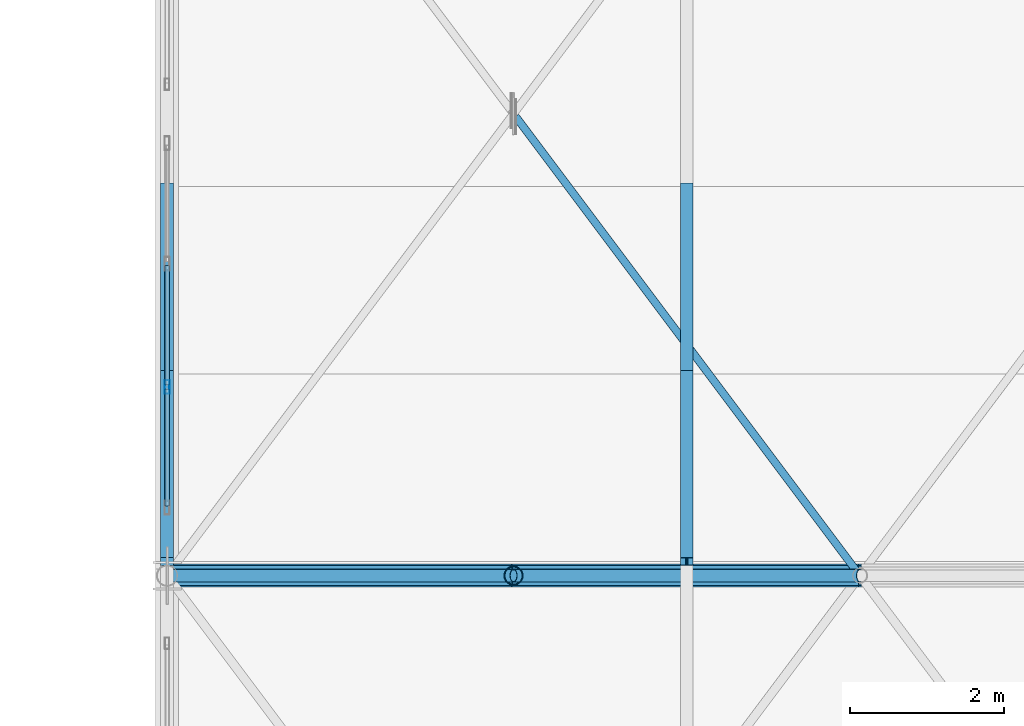
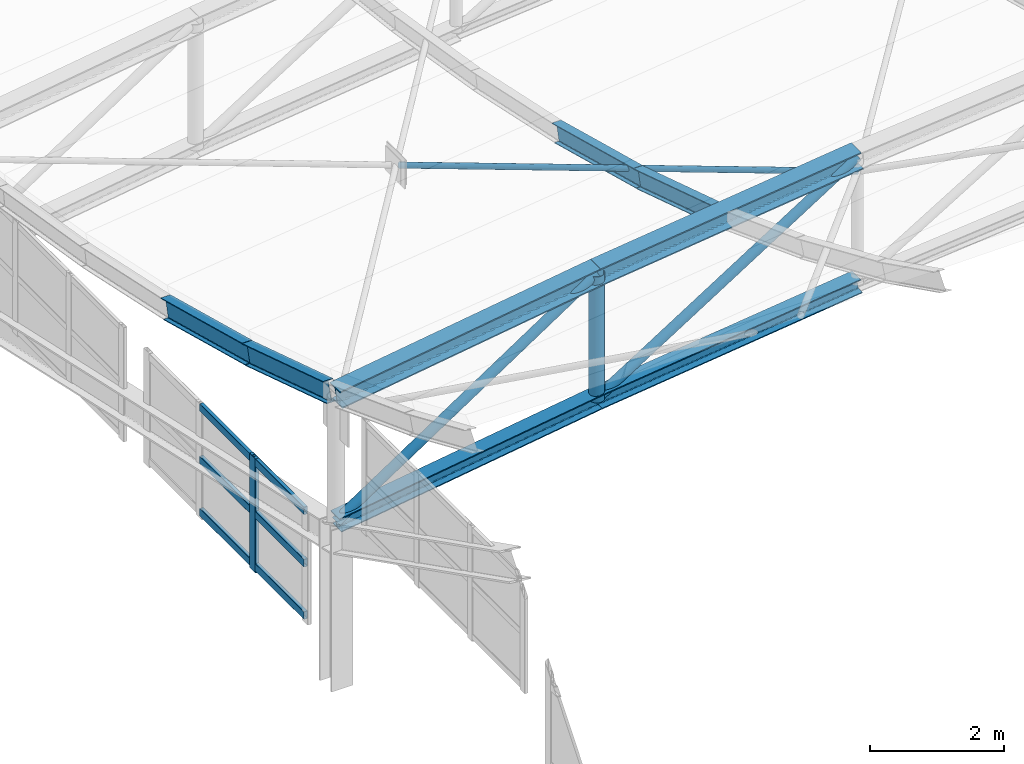
# One storey, part 45 of 262: 19 members, 1 element without a shape of its own.
"""IFC4 building model written with IfcOpenShell, lengths in metres."""

from ifc_helpers import new_model, si_unit, derived_unit, direction, frame, origin, origin_2d, place, context, subcontext, project, spatial, hollow_rectangle, hollow_circle, i_section, extrude, material, layer, layer_set, material_profile, profile_set, type_object, element, aggregate, save


model = new_model("IFC4")

# Units and contexts
model_context = context("Model", 3, precision=1e-05, world=origin(), true_north=direction((0.0, 1.0)))
body_context = subcontext(model_context, "Body", "Model", "MODEL_VIEW")
ifc_project = project(units=[si_unit("LENGTHUNIT", "METRE"), si_unit("AREAUNIT", "SQUARE_METRE"), si_unit("VOLUMEUNIT", "CUBIC_METRE"), si_unit("PLANEANGLEUNIT", "RADIAN"), si_unit("MASSUNIT", "GRAM", prefix="KILO"), derived_unit("THERMALTRANSMITTANCEUNIT", [(si_unit("POWERUNIT", "WATT"), 1), (si_unit("LENGTHUNIT", "METRE"), -2), (si_unit("THERMODYNAMICTEMPERATUREUNIT", "KELVIN"), -1)])], contexts=[model_context])

# Site, building, storey
site_placement = place(None, origin())
site = spatial("IfcSite", under=ifc_project, at=site_placement, CompositionType="ELEMENT")
building_placement = place(site_placement, origin())
building = spatial("IfcBuilding", under=site, at=building_placement, Name="Almenara Railside Exhibition Hall", CompositionType="ELEMENT")
storey_placement = place(building_placement, frame((0.0, 0.0, 21.699951171875)))
storey = spatial("IfcBuildingStorey", under=building, at=storey_placement, Name="RF", CompositionType="ELEMENT", Elevation=21.699951171875)

# Members
ifc_material_1 = material(Name="Structural steel S355JR", Category="steel")
ifc_material_profile_1 = material_profile(ifc_material_1, i_section(OverallWidth=0.260009765625, OverallDepth=0.260009765625, WebThickness=0.010009765625, FlangeThickness=0.017578125, FilletRadius=0.02392578125, at=origin_2d()), Name="HEB 260")
ifc_profile_set_1 = profile_set([ifc_material_profile_1], Name="Structural steel S355JR")
member_type_1 = type_object("IfcMemberType", Name="Arched Truss Bottom Chord HEB 260 S355JR", PredefinedType="CHORD", material=ifc_profile_set_1)
member_1_placement = place(storey_placement, frame((12.0, 60.0, 0.541259765625), z_axis=(0.9890290442, 0.0, 0.147721189165), x_axis=(0.0, 1.0, 0.0)))
element("IfcMember", 1, at=member_1_placement, inside=storey, type_object=member_type_1, Name="MEM-BC-V1-01-00", PredefinedType="CHORD", context=body_context, shape_type="SweptSolid", body=[
    extrude(i_section(OverallWidth=0.260009765625, OverallDepth=0.260009765625, WebThickness=0.010009765625, FlangeThickness=0.017578125, FilletRadius=0.02392578125, at=origin_2d()), origin(), (0.0, 0.0, 1.0), 4.5498046875),
])
member_2_placement = place(storey_placement, frame((16.5, 60.0, 1.21337890625), z_axis=(0.992612220818, 0.0, 0.121330041965), x_axis=(0.0, 1.0, 0.0)))
element("IfcMember", 2, at=member_2_placement, inside=storey, type_object=member_type_1, Name="MEM-BC-V1-01-01", PredefinedType="CHORD", context=body_context, shape_type="SweptSolid", body=[
    extrude(i_section(OverallWidth=0.260009765625, OverallDepth=0.260009765625, WebThickness=0.010009765625, FlangeThickness=0.017578125, FilletRadius=0.02392578125, at=origin_2d()), origin(), (0.0, 0.0, 1.0), 4.533447265625),
])
ifc_material_profile_2 = material_profile(ifc_material_1, i_section(OverallWidth=0.300048828125, OverallDepth=0.320068359375, WebThickness=0.011474609375, FlangeThickness=0.0205078125, FilletRadius=0.027099609375, at=origin_2d()), Name="HEB 320")
ifc_profile_set_2 = profile_set([ifc_material_profile_2], Name="Structural steel S355JR")
member_type_2 = type_object("IfcMemberType", Name="Arched Truss Top Chord HEB 320 S355JR", PredefinedType="CHORD", material=ifc_profile_set_2)
member_3_placement = place(storey_placement, frame((12.0, 60.0, 2.84130859375), z_axis=(0.9890290442, 0.0, 0.147721189165), x_axis=(0.0, 1.0, 0.0)))
element("IfcMember", 3, at=member_3_placement, inside=storey, type_object=member_type_2, Name="MEM-TC-V1-01-00", PredefinedType="CHORD", context=body_context, shape_type="SweptSolid", body=[
    extrude(i_section(OverallWidth=0.300048828125, OverallDepth=0.320068359375, WebThickness=0.011474609375, FlangeThickness=0.0205078125, FilletRadius=0.027099609375, at=origin_2d()), origin(), (0.0, 0.0, 1.0), 4.5498046875),
])
member_4_placement = place(storey_placement, frame((16.5, 60.0, 3.513427734375), z_axis=(0.992612220818, 0.0, 0.121330041965), x_axis=(0.0, 1.0, 0.0)))
element("IfcMember", 4, at=member_4_placement, inside=storey, type_object=member_type_2, Name="MEM-TC-V1-01-01", PredefinedType="CHORD", context=body_context, shape_type="SweptSolid", body=[
    extrude(i_section(OverallWidth=0.300048828125, OverallDepth=0.320068359375, WebThickness=0.011474609375, FlangeThickness=0.0205078125, FilletRadius=0.027099609375, at=origin_2d()), origin(), (0.0, 0.0, 1.0), 4.533447265625),
])

# Curtain wall, members
ifc_material_2 = material(Name="Bronze-anodised aluminium and low-E double glazing", Category="aluminium")
ifc_layer = layer(ifc_material_2, 0.179931640625, Name="Bronze-anodised aluminium and low-E double glazing")
ifc_layer_set = layer_set([ifc_layer], Name="Bronze-anodised aluminium and low-E double glazing")
curtain_wall_type = type_object("IfcCurtainWallType", Name="West Hall Clerestory Curtain Wall 4200x2400", PredefinedType="NOTDEFINED", material=ifc_layer_set)
curtain_wall_placement = place(storey_placement, origin())
curtain_wall = element("IfcCurtainWall", 5, at=curtain_wall_placement, inside=storey, type_object=curtain_wall_type, Name="Curtain wall CW-CL1-172", PredefinedType="NOTDEFINED")
ifc_material_3 = material(Name="Bronze-anodised aluminium", Category="aluminium")
ifc_material_profile_3 = material_profile(ifc_material_3, hollow_rectangle(XDim=0.06494140625, YDim=0.179931640625, WallThickness=0.00390625, InnerFilletRadius=0.00390625, OuterFilletRadius=0.008056640625, at=origin_2d()), Name="ALU-MUL 65x180x4")
ifc_profile_set_3 = profile_set([ifc_material_profile_3], Name="Bronze-anodised aluminium")
member_type_3 = type_object("IfcMemberType", Name="Curtain Wall Mullion 65x180x4", PredefinedType="MULLION", material=ifc_profile_set_3)
member_5_placement = place(storey_placement, frame((12.0, 62.449951171875, -1.824951171875), z_axis=(0.0, 0.0, 1.0), x_axis=(-1.0, 0.0, 0.0)))
member_5 = element("IfcMember", 6, at=member_5_placement, type_object=member_type_3, Name="CW-CL1-172 mullion 2", PredefinedType="MULLION", context=body_context, shape_type="SweptSolid", body=[
    extrude(hollow_rectangle(XDim=0.06494140625, YDim=0.179931640625, WallThickness=0.00390625, InnerFilletRadius=0.00390625, OuterFilletRadius=0.008056640625, at=origin_2d()), origin(), (0.0, 0.0, 1.0), 2.0849609375),
])
ifc_material_profile_4 = material_profile(ifc_material_3, hollow_rectangle(XDim=0.06494140625, YDim=0.139892578125, WallThickness=0.00341796875, InnerFilletRadius=0.00341796875, OuterFilletRadius=0.007080078125, at=origin_2d()), Name="ALU-TRN 65x140x3.5")
ifc_profile_set_4 = profile_set([ifc_material_profile_4], Name="Bronze-anodised aluminium")
member_type_4 = type_object("IfcMemberType", Name="Curtain Wall Transom 65x140x3.5", PredefinedType="USERDEFINED", material=ifc_profile_set_4)
member_6_placement = place(storey_placement, frame((12.0, 60.906982421875, -1.719970703125), z_axis=(0.0, 1.0, 0.0), x_axis=(-1.0, 0.0, 0.0)))
member_6 = element("IfcMember", 7, at=member_6_placement, type_object=member_type_4, Name="CW-CL1-172 transom 1.1", ObjectType="TRANSOM", PredefinedType="USERDEFINED", context=body_context, shape_type="SweptSolid", body=[
    extrude(hollow_rectangle(XDim=0.06494140625, YDim=0.139892578125, WallThickness=0.00341796875, InnerFilletRadius=0.00341796875, OuterFilletRadius=0.007080078125, at=origin_2d()), origin(), (0.0, 0.0, 1.0), 1.5185546875),
])
member_7_placement = place(storey_placement, frame((12.0, 60.906982421875, -0.764892578125), z_axis=(0.0, 1.0, 0.0), x_axis=(-1.0, 0.0, 0.0)))
member_7 = element("IfcMember", 8, at=member_7_placement, type_object=member_type_4, Name="CW-CL1-172 transom 1.2", ObjectType="TRANSOM", PredefinedType="USERDEFINED", context=body_context, shape_type="SweptSolid", body=[
    extrude(hollow_rectangle(XDim=0.06494140625, YDim=0.139892578125, WallThickness=0.00341796875, InnerFilletRadius=0.00341796875, OuterFilletRadius=0.007080078125, at=origin_2d()), origin(), (0.0, 0.0, 1.0), 1.5185546875),
])
member_8_placement = place(storey_placement, frame((12.0, 60.906982421875, 0.18994140625), z_axis=(0.0, 1.0, 0.0), x_axis=(-1.0, 0.0, 0.0)))
member_8 = element("IfcMember", 9, at=member_8_placement, type_object=member_type_4, Name="CW-CL1-172 transom 1.3", ObjectType="TRANSOM", PredefinedType="USERDEFINED", context=body_context, shape_type="SweptSolid", body=[
    extrude(hollow_rectangle(XDim=0.06494140625, YDim=0.139892578125, WallThickness=0.00341796875, InnerFilletRadius=0.00341796875, OuterFilletRadius=0.007080078125, at=origin_2d()), origin(), (0.0, 0.0, 1.0), 1.5185546875),
])
member_9_placement = place(storey_placement, frame((12.0, 62.474609375, -1.719970703125), z_axis=(0.0, 1.0, 0.0), x_axis=(-1.0, 0.0, 0.0)))
member_9 = element("IfcMember", 10, at=member_9_placement, type_object=member_type_4, Name="CW-CL1-172 transom 2.1", ObjectType="TRANSOM", PredefinedType="USERDEFINED", context=body_context, shape_type="SweptSolid", body=[
    extrude(hollow_rectangle(XDim=0.06494140625, YDim=0.139892578125, WallThickness=0.00341796875, InnerFilletRadius=0.00341796875, OuterFilletRadius=0.007080078125, at=origin_2d()), origin(), (0.0, 0.0, 1.0), 1.55078125),
])
member_10_placement = place(storey_placement, frame((12.0, 62.474609375, -0.764892578125), z_axis=(0.0, 1.0, 0.0), x_axis=(-1.0, 0.0, 0.0)))
member_10 = element("IfcMember", 11, at=member_10_placement, type_object=member_type_4, Name="CW-CL1-172 transom 2.2", ObjectType="TRANSOM", PredefinedType="USERDEFINED", context=body_context, shape_type="SweptSolid", body=[
    extrude(hollow_rectangle(XDim=0.06494140625, YDim=0.139892578125, WallThickness=0.00341796875, InnerFilletRadius=0.00341796875, OuterFilletRadius=0.007080078125, at=origin_2d()), origin(), (0.0, 0.0, 1.0), 1.55078125),
])
member_11_placement = place(storey_placement, frame((12.0, 62.474609375, 0.18994140625), z_axis=(0.0, 1.0, 0.0), x_axis=(-1.0, 0.0, 0.0)))
member_11 = element("IfcMember", 12, at=member_11_placement, type_object=member_type_4, Name="CW-CL1-172 transom 2.3", ObjectType="TRANSOM", PredefinedType="USERDEFINED", context=body_context, shape_type="SweptSolid", body=[
    extrude(hollow_rectangle(XDim=0.06494140625, YDim=0.139892578125, WallThickness=0.00341796875, InnerFilletRadius=0.00341796875, OuterFilletRadius=0.007080078125, at=origin_2d()), origin(), (0.0, 0.0, 1.0), 1.55078125),
])
aggregate(curtain_wall, [member_5, member_6, member_7, member_8, member_9, member_10, member_11])

# Members
ifc_material_profile_5 = material_profile(ifc_material_1, i_section(OverallWidth=0.159912109375, OverallDepth=0.330078125, WebThickness=0.007568359375, FlangeThickness=0.011474609375, FilletRadius=0.01806640625, at=origin_2d()), Name="IPE 330")
ifc_profile_set_5 = profile_set([ifc_material_profile_5], Name="Structural steel S355JR")
member_type_5 = type_object("IfcMemberType", Name="Gable Bay Purlin IPE 330 S355JR", PredefinedType="PURLIN", material=ifc_profile_set_5)
member_12_placement = place(storey_placement, frame((18.75, 60.18359375, 3.65283203125), z_axis=(0.0, 0.952440767254, -0.304723784553), x_axis=(-1.0, 0.0, 0.0)))
element("IfcMember", 13, at=member_12_placement, inside=storey, type_object=member_type_5, Name="MEM-PR-V1-PR-IPE330-01-05", PredefinedType="PURLIN", context=body_context, shape_type="SweptSolid", body=[
    extrude(i_section(OverallWidth=0.159912109375, OverallDepth=0.330078125, WebThickness=0.007568359375, FlangeThickness=0.011474609375, FilletRadius=0.01806640625, at=origin_2d()), origin(), (0.0, 0.0, 1.0), 2.55810546875),
])
member_13_placement = place(storey_placement, frame((18.75, 62.6201171875, 2.878662109375), z_axis=(0.0, 0.966201190487, -0.257789176462), x_axis=(-1.0, 0.0, 0.0)))
element("IfcMember", 14, at=member_13_placement, inside=storey, type_object=member_type_5, Name="MEM-PR-V1-PR-IPE330-01-06", PredefinedType="PURLIN", context=body_context, shape_type="SweptSolid", body=[
    extrude(i_section(OverallWidth=0.159912109375, OverallDepth=0.330078125, WebThickness=0.007568359375, FlangeThickness=0.011474609375, FilletRadius=0.01806640625, at=origin_2d()), origin(), (0.0, 0.0, 1.0), 2.52197265625),
])
ifc_material_profile_6 = material_profile(ifc_material_1, i_section(OverallWidth=0.169921875, OverallDepth=0.360107421875, WebThickness=0.008056640625, FlangeThickness=0.0126953125, FilletRadius=0.01806640625, at=origin_2d()), Name="IPE 360")
ifc_profile_set_6 = profile_set([ifc_material_profile_6], Name="Structural steel S355JR")
member_type_6 = type_object("IfcMemberType", Name="Long-Span Scroll Purlin IPE 360 S355JR", PredefinedType="PURLIN", material=ifc_profile_set_6)
member_14_placement = place(storey_placement, frame((12.0, 60.18359375, 2.80810546875), z_axis=(0.0, 0.952440767254, -0.304723784553), x_axis=(-1.0, 0.0, 0.0)))
element("IfcMember", 15, at=member_14_placement, inside=storey, type_object=member_type_6, Name="MEM-PR-V1-PR-IPE360-00-05", PredefinedType="PURLIN", context=body_context, shape_type="SweptSolid", body=[
    extrude(i_section(OverallWidth=0.169921875, OverallDepth=0.360107421875, WebThickness=0.008056640625, FlangeThickness=0.0126953125, FilletRadius=0.01806640625, at=origin_2d()), origin(), (0.0, 0.0, 1.0), 2.55810546875),
])
member_15_placement = place(storey_placement, frame((12.0, 62.6201171875, 2.0341796875), z_axis=(0.0, 0.966201190487, -0.257789176462), x_axis=(-1.0, 0.0, 0.0)))
element("IfcMember", 16, at=member_15_placement, inside=storey, type_object=member_type_6, Name="MEM-PR-V1-PR-IPE360-00-06", PredefinedType="PURLIN", context=body_context, shape_type="SweptSolid", body=[
    extrude(i_section(OverallWidth=0.169921875, OverallDepth=0.360107421875, WebThickness=0.008056640625, FlangeThickness=0.0126953125, FilletRadius=0.01806640625, at=origin_2d()), origin(), (0.0, 0.0, 1.0), 2.52197265625),
])
ifc_material_profile_7 = material_profile(ifc_material_1, hollow_circle(Radius=0.05078125, WallThickness=0.00390625, at=origin_2d()), Name="CHS 101.6x4")
ifc_profile_set_7 = profile_set([ifc_material_profile_7], Name="Structural steel S355JR")
member_type_7 = type_object("IfcMemberType", Name="Scroll Wind Plan Brace CHS 101.6x4 S355JR", PredefinedType="BRACE", material=ifc_profile_set_7)
member_16_placement = place(storey_placement, frame((21.0, 60.0, 3.783447265625), z_axis=(-0.580716303598, 0.774267251688, -0.25155277319), x_axis=(-0.799992131801, -0.600010490789, 0.0)))
element("IfcMember", 17, at=member_16_placement, inside=storey, type_object=member_type_7, Name="MEM-WB-V1-WB-CHS102-01-00-S1", PredefinedType="BRACE", context=body_context, shape_type="SweptSolid", body=[
    extrude(hollow_circle(Radius=0.05078125, WallThickness=0.00390625, at=origin_2d()), origin(), (0.0, 0.0, 1.0), 7.6943359375),
])
ifc_material_profile_8 = material_profile(ifc_material_1, hollow_circle(Radius=0.084228515625, WallThickness=0.006103515625, at=origin_2d()), Name="CHS 168.3x6")
ifc_profile_set_8 = profile_set([ifc_material_profile_8], Name="Structural steel S355JR")
member_type_8 = type_object("IfcMemberType", Name="Truss End Diagonal CHS 168.3x6 S355JR", PredefinedType="BRACE", material=ifc_profile_set_8)
member_17_placement = place(storey_placement, frame((12.0, 60.0, 0.541259765625), z_axis=(0.834424544227, 0.0, 0.551122200598), x_axis=(0.0, 1.0, 0.0)))
element("IfcMember", 18, at=member_17_placement, inside=storey, type_object=member_type_8, Name="MEM-TD-V1-01-00", PredefinedType="BRACE", context=body_context, shape_type="SweptSolid", body=[
    extrude(hollow_circle(Radius=0.084228515625, WallThickness=0.006103515625, at=origin_2d()), origin(), (0.0, 0.0, 1.0), 5.392822265625),
])
member_18_placement = place(storey_placement, frame((16.5, 60.0, 1.21337890625), z_axis=(0.844810788273, 0.0, 0.535065166141), x_axis=(0.0, 1.0, 0.0)))
element("IfcMember", 19, at=member_18_placement, inside=storey, type_object=member_type_8, Name="MEM-TD-V1-01-01", PredefinedType="BRACE", context=body_context, shape_type="SweptSolid", body=[
    extrude(hollow_circle(Radius=0.084228515625, WallThickness=0.006103515625, at=origin_2d()), origin(), (0.0, 0.0, 1.0), 5.32666015625),
])
ifc_material_profile_9 = material_profile(ifc_material_1, hollow_circle(Radius=0.122314453125, WallThickness=0.008056640625, at=origin_2d()), Name="CHS 244.5x8")
ifc_profile_set_9 = profile_set([ifc_material_profile_9], Name="Structural steel S355JR")
member_type_9 = type_object("IfcMemberType", Name="Truss Haunch Vertical Strut CHS 244.5x8 S355JR", PredefinedType="BRACE", material=ifc_profile_set_9)
member_19_placement = place(storey_placement, frame((16.5, 60.0, 1.21337890625), z_axis=(0.0, 0.0, 1.0), x_axis=(1.0, 0.0, 0.0)))
element("IfcMember", 20, at=member_19_placement, inside=storey, type_object=member_type_9, Name="MEM-TV-V1-01-01", PredefinedType="BRACE", context=body_context, shape_type="SweptSolid", body=[
    extrude(hollow_circle(Radius=0.122314453125, WallThickness=0.008056640625, at=origin_2d()), origin(), (0.0, 0.0, 1.0), 2.300048828125),
])

save(model, "model.ifc")
